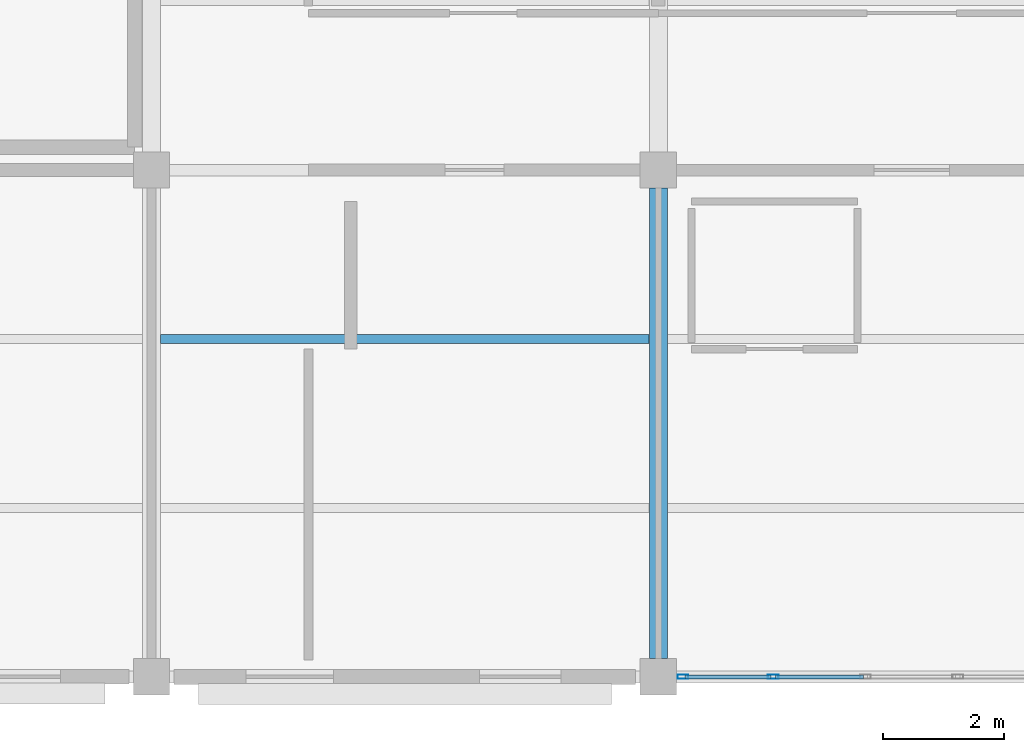
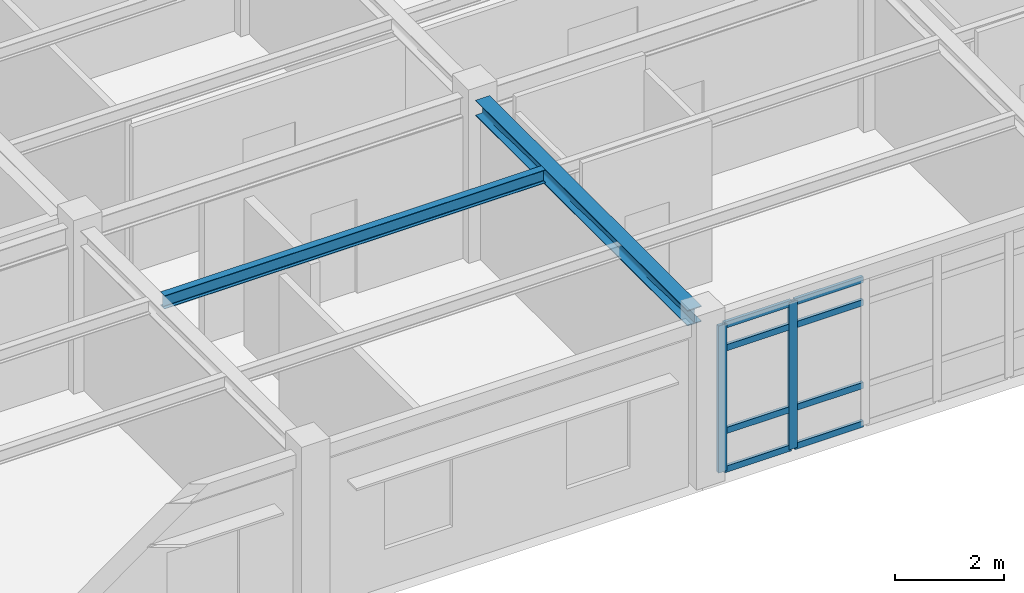
# One storey, part 4 of 86: 10 members, 2 beams, 1 element without a shape of its own.
"""IFC4 building model written with IfcOpenShell, lengths in metres."""

from ifc_helpers import new_model, si_unit, direction, frame, origin, origin_2d, place, context, subcontext, project, spatial, hollow_rectangle, i_section, extrude, material, layer, layer_set, material_profile, profile_set, type_object, element, aggregate, save


model = new_model("IFC4")

# Units and contexts
model_context = context("Model", 3, precision=1e-05, world=origin(), true_north=direction((0.0, 1.0)))
body_context = subcontext(model_context, "Body", "Model", "MODEL_VIEW")
ifc_project = project(units=[si_unit("LENGTHUNIT", "METRE"), si_unit("AREAUNIT", "SQUARE_METRE"), si_unit("VOLUMEUNIT", "CUBIC_METRE"), si_unit("PLANEANGLEUNIT", "RADIAN"), si_unit("MASSUNIT", "GRAM", prefix="KILO")], contexts=[model_context])

# Site, building, storey
site_placement = place(None, origin())
site = spatial("IfcSite", under=ifc_project, at=site_placement, CompositionType="ELEMENT")
building_placement = place(site_placement, origin())
building = spatial("IfcBuilding", under=site, at=building_placement, Name="Bramfleet General Hospital", CompositionType="ELEMENT")
storey_placement = place(building_placement, frame((0.0, 0.0, 18.60009765625)))
storey = spatial("IfcBuildingStorey", under=building, at=storey_placement, Name="L04", CompositionType="ELEMENT", Elevation=18.60009765625)

# Beams
ifc_material_1 = material(Name="Steel S355", Category="steel")
ifc_material_profile_1 = material_profile(ifc_material_1, i_section(OverallWidth=0.300048828125, OverallDepth=0.35009765625, WebThickness=0.010009765625, FlangeThickness=0.017578125, FilletRadius=0.027099609375, at=origin_2d()), Name="HEA 360")
ifc_profile_set_1 = profile_set([ifc_material_profile_1], Name="Steel S355")
beam_type_1 = type_object("IfcBeamType", Name="BM-HEA360", PredefinedType="BEAM", material=ifc_profile_set_1)
beam_1_placement = place(storey_placement, frame((117.60009765625, 0.300048828125, 3.44482421875), z_axis=(0.0, 1.0, 0.0), x_axis=(-1.0, 0.0, 0.0)))
element("IfcBeam", 1, at=beam_1_placement, inside=storey, type_object=beam_type_1, Name="L04 Grid Beam Y 14-00", PredefinedType="BEAM", context=body_context, shape_type="SweptSolid", body=[
    extrude(i_section(OverallWidth=0.300048828125, OverallDepth=0.35009765625, WebThickness=0.010009765625, FlangeThickness=0.017578125, FilletRadius=0.027099609375, at=origin_2d()), origin(), (0.0, 0.0, 1.0), 7.800048828125),
])
ifc_material_profile_2 = material_profile(ifc_material_1, i_section(OverallWidth=0.14990234375, OverallDepth=0.300048828125, WebThickness=0.007080078125, FlangeThickness=0.0107421875, FilletRadius=0.014892578125, at=origin_2d()), Name="IPE 300")
ifc_profile_set_2 = profile_set([ifc_material_profile_2], Name="Steel S355")
beam_type_2 = type_object("IfcBeamType", Name="BM-IPE300", PredefinedType="JOIST", material=ifc_profile_set_2)
beam_2_placement = place(storey_placement, frame((109.35009765625, 5.60009765625, 3.469970703125), z_axis=(1.0, 0.0, 0.0), x_axis=(0.0, 1.0, 0.0)))
element("IfcBeam", 2, at=beam_2_placement, inside=storey, type_object=beam_type_2, Name="L04 Secondary Joist 13-00-2", PredefinedType="JOIST", context=body_context, shape_type="SweptSolid", body=[
    extrude(i_section(OverallWidth=0.14990234375, OverallDepth=0.300048828125, WebThickness=0.007080078125, FlangeThickness=0.0107421875, FilletRadius=0.014892578125, at=origin_2d()), origin(), (0.0, 0.0, 1.0), 8.099853515625),
])

# Curtain wall, members
ifc_material_2 = material(Name="Anodised aluminium and low-E triple glazing", Category="aluminium")
ifc_layer = layer(ifc_material_2, 0.179931640625, Name="CWT-CW-16")
ifc_layer_set = layer_set([ifc_layer], Name="Anodised aluminium and low-E triple glazing")
curtain_wall_type = type_object("IfcCurtainWallType", Name="CWT-CW-16", PredefinedType="USERDEFINED", material=ifc_layer_set)
curtain_wall_placement = place(storey_placement, origin())
curtain_wall = element("IfcCurtainWall", 3, at=curtain_wall_placement, inside=storey, type_object=curtain_wall_type, Name="L04 Curtain Wall 196", ObjectType="Stick curtain wall", PredefinedType="USERDEFINED")
ifc_material_3 = material(Name="Anodised aluminium EN AW-6060", Category="aluminium")
ifc_material_profile_3 = material_profile(ifc_material_3, hollow_rectangle(XDim=0.070068359375, YDim=0.179931640625, WallThickness=0.00390625, at=origin_2d()), Name="ALU 180x70x4.0")
ifc_profile_set_3 = profile_set([ifc_material_profile_3], Name="Anodised aluminium EN AW-6060")
member_type_1 = type_object("IfcMemberType", Name="CWM-ALU180", PredefinedType="MULLION", material=ifc_profile_set_3)
member_1_placement = place(storey_placement, frame((119.5048828125, 0.0, 0.0), z_axis=(0.0, 0.0, 1.0), x_axis=(0.0, -1.0, 0.0)))
member_1 = element("IfcMember", 4, at=member_1_placement, type_object=member_type_1, Name="CW-16 mullion 5", PredefinedType="MULLION", context=body_context, shape_type="SweptSolid", body=[
    extrude(hollow_rectangle(XDim=0.070068359375, YDim=0.179931640625, WallThickness=0.00390625, at=origin_2d()), origin(), (0.0, 0.0, 1.0), 3.309814453125),
])
member_2_placement = place(storey_placement, frame((118.010009765625, 0.0, 0.0), z_axis=(0.0, 0.0, 1.0), x_axis=(0.0, -1.0, 0.0)))
member_2 = element("IfcMember", 5, at=member_2_placement, type_object=member_type_1, Name="CW-16 mullion 6", PredefinedType="MULLION", context=body_context, shape_type="SweptSolid", body=[
    extrude(hollow_rectangle(XDim=0.070068359375, YDim=0.179931640625, WallThickness=0.00390625, at=origin_2d()), origin(), (0.0, 0.0, 1.0), 3.309814453125),
])
ifc_material_profile_4 = material_profile(ifc_material_3, hollow_rectangle(XDim=0.06494140625, YDim=0.139892578125, WallThickness=0.00390625, at=origin_2d()), Name="ALU 140x65x4.0")
ifc_profile_set_4 = profile_set([ifc_material_profile_4], Name="Anodised aluminium EN AW-6060")
member_type_2 = type_object("IfcMemberType", Name="CWT-ALU140", PredefinedType="USERDEFINED", material=ifc_profile_set_4)
member_3_placement = place(storey_placement, frame((121.0, 0.0, 0.032470703125), z_axis=(-1.0, 0.0, 0.0), x_axis=(0.0, -1.0, 0.0)))
member_3 = element("IfcMember", 6, at=member_3_placement, type_object=member_type_2, Name="CW-16 transom 4.1", ObjectType="TRANSOM", PredefinedType="USERDEFINED", context=body_context, shape_type="SweptSolid", body=[
    extrude(hollow_rectangle(XDim=0.06494140625, YDim=0.139892578125, WallThickness=0.00390625, at=origin_2d()), origin(), (0.0, 0.0, 1.0), 1.4599609375),
])
member_4_placement = place(storey_placement, frame((121.0, 0.0, 0.89990234375), z_axis=(-1.0, 0.0, 0.0), x_axis=(0.0, -1.0, 0.0)))
member_4 = element("IfcMember", 7, at=member_4_placement, type_object=member_type_2, Name="CW-16 transom 4.2", ObjectType="TRANSOM", PredefinedType="USERDEFINED", context=body_context, shape_type="SweptSolid", body=[
    extrude(hollow_rectangle(XDim=0.06494140625, YDim=0.139892578125, WallThickness=0.00390625, at=origin_2d()), origin(), (0.0, 0.0, 1.0), 1.4599609375),
])
member_5_placement = place(storey_placement, frame((121.0, 0.0, 2.760009765625), z_axis=(-1.0, 0.0, 0.0), x_axis=(0.0, -1.0, 0.0)))
member_5 = element("IfcMember", 8, at=member_5_placement, type_object=member_type_2, Name="CW-16 transom 4.3", ObjectType="TRANSOM", PredefinedType="USERDEFINED", context=body_context, shape_type="SweptSolid", body=[
    extrude(hollow_rectangle(XDim=0.06494140625, YDim=0.139892578125, WallThickness=0.00390625, at=origin_2d()), origin(), (0.0, 0.0, 1.0), 1.4599609375),
])
member_6_placement = place(storey_placement, frame((121.0, 0.0, 3.27734375), z_axis=(-1.0, 0.0, 0.0), x_axis=(0.0, -1.0, 0.0)))
member_6 = element("IfcMember", 9, at=member_6_placement, type_object=member_type_2, Name="CW-16 transom 4.4", ObjectType="TRANSOM", PredefinedType="USERDEFINED", context=body_context, shape_type="SweptSolid", body=[
    extrude(hollow_rectangle(XDim=0.06494140625, YDim=0.139892578125, WallThickness=0.00390625, at=origin_2d()), origin(), (0.0, 0.0, 1.0), 1.4599609375),
])
member_7_placement = place(storey_placement, frame((119.469970703125, 0.0, 0.032470703125), z_axis=(-1.0, 0.0, 0.0), x_axis=(0.0, -1.0, 0.0)))
member_7 = element("IfcMember", 10, at=member_7_placement, type_object=member_type_2, Name="CW-16 transom 5.1", ObjectType="TRANSOM", PredefinedType="USERDEFINED", context=body_context, shape_type="SweptSolid", body=[
    extrude(hollow_rectangle(XDim=0.06494140625, YDim=0.139892578125, WallThickness=0.00390625, at=origin_2d()), origin(), (0.0, 0.0, 1.0), 1.425048828125),
])
member_8_placement = place(storey_placement, frame((119.469970703125, 0.0, 0.89990234375), z_axis=(-1.0, 0.0, 0.0), x_axis=(0.0, -1.0, 0.0)))
member_8 = element("IfcMember", 11, at=member_8_placement, type_object=member_type_2, Name="CW-16 transom 5.2", ObjectType="TRANSOM", PredefinedType="USERDEFINED", context=body_context, shape_type="SweptSolid", body=[
    extrude(hollow_rectangle(XDim=0.06494140625, YDim=0.139892578125, WallThickness=0.00390625, at=origin_2d()), origin(), (0.0, 0.0, 1.0), 1.425048828125),
])
member_9_placement = place(storey_placement, frame((119.469970703125, 0.0, 2.760009765625), z_axis=(-1.0, 0.0, 0.0), x_axis=(0.0, -1.0, 0.0)))
member_9 = element("IfcMember", 12, at=member_9_placement, type_object=member_type_2, Name="CW-16 transom 5.3", ObjectType="TRANSOM", PredefinedType="USERDEFINED", context=body_context, shape_type="SweptSolid", body=[
    extrude(hollow_rectangle(XDim=0.06494140625, YDim=0.139892578125, WallThickness=0.00390625, at=origin_2d()), origin(), (0.0, 0.0, 1.0), 1.425048828125),
])
member_10_placement = place(storey_placement, frame((119.469970703125, 0.0, 3.27734375), z_axis=(-1.0, 0.0, 0.0), x_axis=(0.0, -1.0, 0.0)))
member_10 = element("IfcMember", 13, at=member_10_placement, type_object=member_type_2, Name="CW-16 transom 5.4", ObjectType="TRANSOM", PredefinedType="USERDEFINED", context=body_context, shape_type="SweptSolid", body=[
    extrude(hollow_rectangle(XDim=0.06494140625, YDim=0.139892578125, WallThickness=0.00390625, at=origin_2d()), origin(), (0.0, 0.0, 1.0), 1.425048828125),
])
aggregate(curtain_wall, [member_1, member_2, member_3, member_4, member_5, member_6, member_7, member_8, member_9, member_10])

save(model, "model.ifc")
